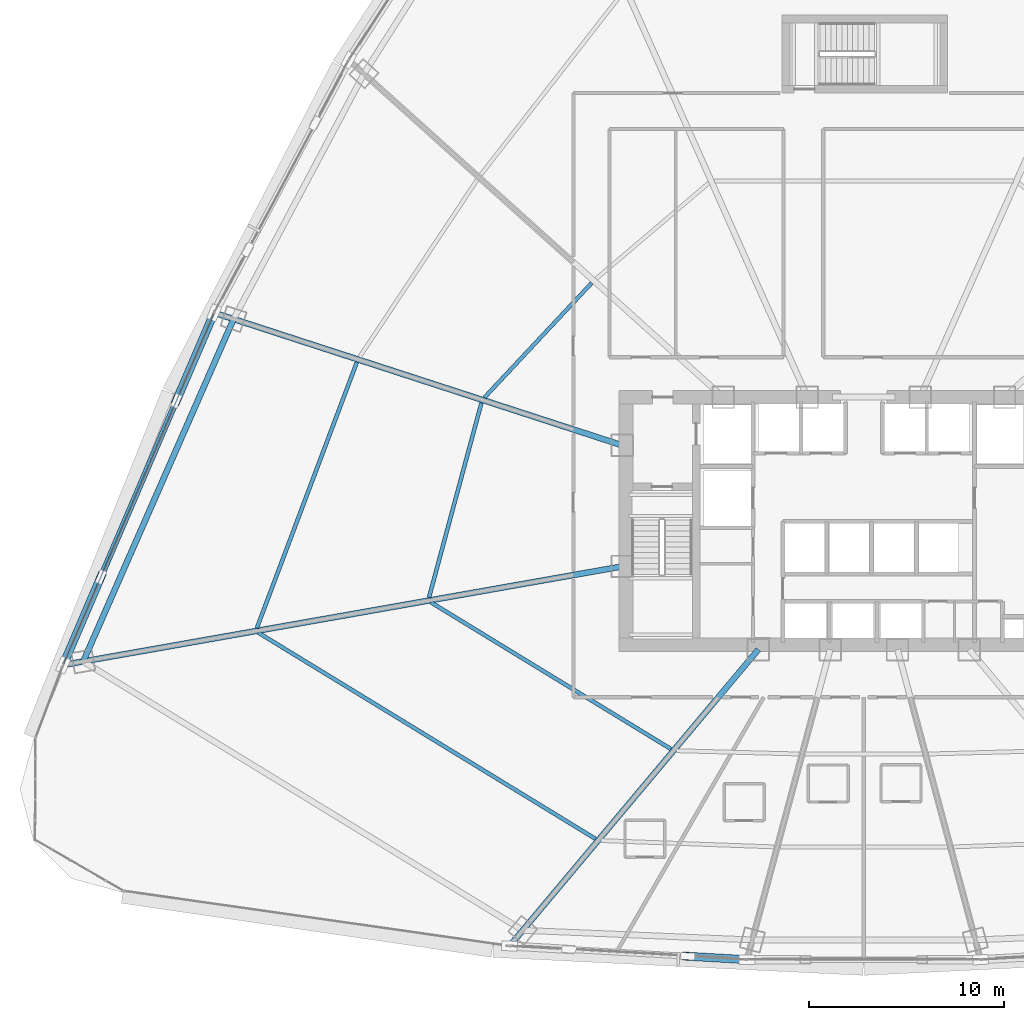
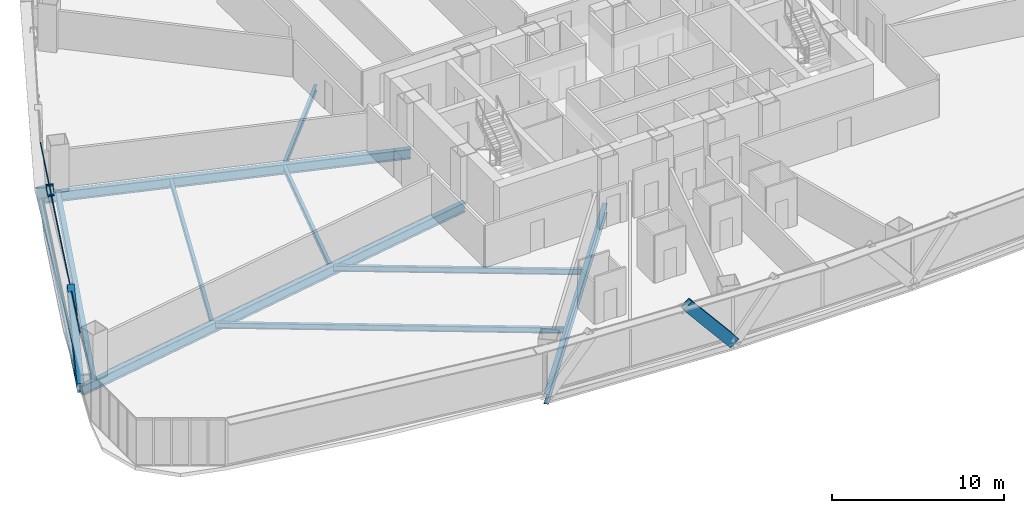
# One storey, part 7 of 41: 10 beams, 5 members, 1 element without a shape of its own.
"""IFC4 building model written with IfcOpenShell, lengths in metres."""

import ifcopenshell
import ifcopenshell.guid

model = None  # the IFC model being written
_history = None  # IfcOwnerHistory: only IFC2X3 demands one
_inside = {}  # id of a spatial element -> (the spatial element, [elements in it])
_under = {}  # id of a project, library or spatial element -> (it, [spatial elements below it])
_declared = {}  # id of a project -> (the project, [libraries it declares])
_typed = {}  # id of a type object -> (the type object, [elements of that type])
_made_of = {}  # id of a material, layer set ... -> (it, [elements and type objects made of it])


def new_model(schema):
    """Start an empty IFC model of exactly this schema.

    Asked for "IFC4X3", IfcOpenShell would pick the latest addendum, in which some entities
    have other attributes; the version numbers below select the first issue.
    IFC2X3 requires an IfcOwnerHistory on every rooted entity: one is made here for all.
    """
    global model, _history
    if schema == "IFC4X3":
        model = ifcopenshell.file(schema_version=(4, 3, 0, 0))
    else:
        model = ifcopenshell.file(schema=schema)
    _inside.clear()
    _under.clear()
    _declared.clear()
    _typed.clear()
    _made_of.clear()
    _history = None
    if model.schema == "IFC2X3":
        org = make("IfcOrganization", Name="unknown")
        user = make(
            "IfcPersonAndOrganization",
            ThePerson=make("IfcPerson", FamilyName="unknown"),
            TheOrganization=org,
        )
        app = make(
            "IfcApplication",
            ApplicationDeveloper=org,
            Version="unknown",
            ApplicationFullName="unknown",
            ApplicationIdentifier="unknown",
        )
        _history = make(
            "IfcOwnerHistory",
            OwningUser=user,
            OwningApplication=app,
            ChangeAction="ADDED",
            CreationDate=0,
        )
    return model


def make(cls, **values):
    """One entity of the class cls with the attributes given. An attribute that is None is left unset."""
    return model.create_entity(
        cls, **{name: value for name, value in values.items() if value is not None}
    )


def rooted(cls, **values):
    """An entity with a GlobalId (a new one), such as an element, a storey or a relation."""
    return make(cls, GlobalId=ifcopenshell.guid.new(), OwnerHistory=_history, **values)


def si_unit(unit_type, name, prefix=None):
    """IfcSIUnit, for example si_unit("LENGTHUNIT", "METRE", prefix="MILLI")."""
    return make("IfcSIUnit", UnitType=unit_type, Prefix=prefix, Name=name)


def assignment(units):
    """IfcUnitAssignment: the units of a project."""
    return None if units is None else make("IfcUnitAssignment", Units=units)


def point(xyz):
    """IfcCartesianPoint."""
    return None if xyz is None else make("IfcCartesianPoint", Coordinates=xyz)


def direction(xyz):
    """IfcDirection."""
    return None if xyz is None else make("IfcDirection", DirectionRatios=xyz)


def frame(location, z_axis=None, x_axis=None):
    """IfcAxis2Placement3D, a coordinate frame: its origin and axes. An axis left out is left unset."""
    return make(
        "IfcAxis2Placement3D",
        Location=point(location),
        Axis=direction(z_axis),
        RefDirection=direction(x_axis),
    )


def frame_2d(location, x_axis=None):
    """IfcAxis2Placement2D, a coordinate frame in the plane: its origin and x axis."""
    return make(
        "IfcAxis2Placement2D", Location=point(location), RefDirection=direction(x_axis)
    )


def origin():
    """The frame at (0, 0, 0) with its axes left unset."""
    return frame((0.0, 0.0, 0.0))


def origin_2d():
    """The frame at (0, 0) in the plane with its x axis left unset."""
    return frame_2d((0.0, 0.0))


def place(relative_to, where):
    """IfcLocalPlacement: puts the frame where relative to a parent placement (None: the world)."""
    return make(
        "IfcLocalPlacement", PlacementRelTo=relative_to, RelativePlacement=where
    )


def context(
    kind, dimensions, precision=None, world=None, true_north=None, identifier=None
):
    """IfcGeometricRepresentationContext, for example the 3D "Model" context."""
    return make(
        "IfcGeometricRepresentationContext",
        ContextIdentifier=identifier,
        ContextType=kind,
        CoordinateSpaceDimension=dimensions,
        Precision=precision,
        WorldCoordinateSystem=world,
        TrueNorth=true_north,
    )


def subcontext(parent, identifier, kind, view, scale=None):
    """IfcGeometricRepresentationSubContext, for example "Body" below "Model"."""
    return make(
        "IfcGeometricRepresentationSubContext",
        ContextIdentifier=identifier,
        ContextType=kind,
        ParentContext=parent,
        TargetScale=scale,
        TargetView=view,
    )


def project(units=None, contexts=None):
    """IfcProject with its units and contexts."""
    return rooted(
        "IfcProject",
        Name="project",
        RepresentationContexts=contexts,
        UnitsInContext=assignment(units),
    )


def spatial(cls, under=None, at=None, **own):
    """A site, building, storey or space (cls), placed at a placement, below another one or the project."""
    s = rooted(cls, ObjectPlacement=at, **own)
    if under is not None:
        _under.setdefault(under.id(), (under, []))[1].append(s)
    return s


def profile(cls, at=None, kind="AREA", **sizes):
    """A parametric profile (cls). Its sizes go by their IFC names, for example OverallWidth=200.0."""
    return make(cls, ProfileType=kind, Position=at, **sizes)


def hollow_rectangle(**sizes):
    """IfcRectangleHollowProfileDef."""
    return profile("IfcRectangleHollowProfileDef", **sizes)


def i_section(**sizes):
    """IfcIShapeProfileDef."""
    return profile("IfcIShapeProfileDef", **sizes)


def extrude(swept, where, along, depth):
    """IfcExtrudedAreaSolid: the profile swept, set in the frame where, extruded along a direction by depth."""
    return make(
        "IfcExtrudedAreaSolid",
        SweptArea=swept,
        Position=where,
        ExtrudedDirection=direction(along),
        Depth=depth,
    )


def shape(context_of_items, identifier, shape_type, items):
    """IfcShapeRepresentation: the items that make up one representation, for example the "Body"."""
    return make(
        "IfcShapeRepresentation",
        ContextOfItems=context_of_items,
        RepresentationIdentifier=identifier,
        RepresentationType=shape_type,
        Items=items,
    )


def source(mapping_origin, context_of_items, identifier, shape_type, items):
    """IfcRepresentationMap: a shape defined once, which mapped items show again and again."""
    return make(
        "IfcRepresentationMap",
        MappingOrigin=mapping_origin,
        MappedRepresentation=shape(context_of_items, identifier, shape_type, items),
    )


def transform(
    local_origin,
    x_axis=None,
    y_axis=None,
    z_axis=None,
    scale=None,
    scale2=None,
    scale3=None,
    uniform=True,
):
    """IfcCartesianTransformationOperator3D, or its non-uniform kind. x_axis, y_axis, z_axis: its Axis1, 2, 3."""
    if uniform:
        return make(
            "IfcCartesianTransformationOperator3D",
            Axis1=direction(x_axis),
            Axis2=direction(y_axis),
            LocalOrigin=point(local_origin),
            Scale=scale,
            Axis3=direction(z_axis),
        )
    return make(
        "IfcCartesianTransformationOperator3DnonUniform",
        Axis1=direction(x_axis),
        Axis2=direction(y_axis),
        LocalOrigin=point(local_origin),
        Scale=scale,
        Axis3=direction(z_axis),
        Scale2=scale2,
        Scale3=scale3,
    )


def mapped(mapping_source, mapping_target):
    """IfcMappedItem: shows the shape of a source again, moved by a transform."""
    return make(
        "IfcMappedItem", MappingSource=mapping_source, MappingTarget=mapping_target
    )


def material(Name=None, Category=None):
    """IfcMaterial."""
    return make("IfcMaterial", Name=Name, Category=Category)


def layer(
    of_material, thickness, ventilated=None, Name=None, Category=None, Priority=None
):
    """IfcMaterialLayer: one layer of a wall or slab, of a material (None: an air gap)."""
    return make(
        "IfcMaterialLayer",
        Material=of_material,
        LayerThickness=thickness,
        IsVentilated=ventilated,
        Name=Name,
        Category=Category,
        Priority=Priority,
    )


def layer_set(layers, Name=None):
    """IfcMaterialLayerSet."""
    return make("IfcMaterialLayerSet", MaterialLayers=layers, LayerSetName=Name)


def material_profile(
    of_material, cross_section, Name=None, Category=None, Priority=None
):
    """IfcMaterialProfile: a cross section and its material."""
    return make(
        "IfcMaterialProfile",
        Name=Name,
        Material=of_material,
        Profile=cross_section,
        Priority=Priority,
        Category=Category,
    )


def profile_set(profiles, Name=None, composite=None):
    """IfcMaterialProfileSet."""
    return make(
        "IfcMaterialProfileSet",
        Name=Name,
        MaterialProfiles=profiles,
        CompositeProfile=composite,
    )


def made_of(thing, what):
    """Note that an element or type object is made of a material, layer set ...; save() writes the relation."""
    if what is not None:
        _made_of.setdefault(what.id(), (what, []))[1].append(thing)
    return thing


def type_object(cls, material=None, **own):
    """A type object (cls), such as IfcWallType, which elements share."""
    return made_of(rooted(cls, **own), material)


def element(
    cls,
    number,
    at=None,
    inside=None,
    cuts=None,
    type_object=None,
    material=None,
    context=None,
    identifier="Body",
    shape_type=None,
    held_by="IfcProductDefinitionShape",
    body=None,
    shapes=None,
    **own,
):
    """One element of the class cls, such as IfcWall. Its Tag is "e" and its number.

    at: its placement. inside: the storey or other place that contains it. cuts: it is an
    opening in that element (IfcRelVoidsElement). A single representation is given by context,
    identifier, shape_type and body (its items); several are given by shapes. held_by: the class
    of the entity that holds the representations. save() writes the other relations.
    """
    e = rooted(cls, Tag="e%d" % number, ObjectPlacement=at, **own)
    if body is not None:
        shapes = [shape(context, identifier, shape_type, body)]
    if shapes is not None:
        e.Representation = make(held_by, Representations=shapes)
    if inside is not None:
        _inside.setdefault(inside.id(), (inside, []))[1].append(e)
    if cuts is not None:
        rooted(
            "IfcRelVoidsElement", RelatingBuildingElement=cuts, RelatedOpeningElement=e
        )
    if type_object is not None:
        _typed.setdefault(type_object.id(), (type_object, []))[1].append(e)
    return made_of(e, material)


def aggregate(whole, parts):
    """IfcRelAggregates: a whole, such as a stair, and the parts it consists of."""
    return rooted("IfcRelAggregates", RelatingObject=whole, RelatedObjects=parts)


def save(model, path):
    """Write the relations noted so far, then the file.

    IfcRelAggregates (storeys below a building ...), IfcRelContainedInSpatialStructure (elements
    in a storey), IfcRelDefinesByType, IfcRelAssociatesMaterial and IfcRelDeclares: one each for
    every whole, place, type object, material and project.
    """
    for whole, parts in _under.values():
        aggregate(whole, parts)
    for where, things in _inside.values():
        rooted(
            "IfcRelContainedInSpatialStructure",
            RelatedElements=things,
            RelatingStructure=where,
        )
    for kind, things in _typed.values():
        rooted("IfcRelDefinesByType", RelatedObjects=things, RelatingType=kind)
    for what, things in _made_of.values():
        rooted("IfcRelAssociatesMaterial", RelatedObjects=things, RelatingMaterial=what)
    for by, libraries in _declared.values():
        rooted("IfcRelDeclares", RelatingContext=by, RelatedDefinitions=libraries)
    model.write(path)


model = new_model("IFC4")

# Units and contexts
model_context = context("Model", 3, precision=1e-05, world=origin(), true_north=direction((0.0, 1.0)))
body_context = subcontext(model_context, "Body", "Model", "MODEL_VIEW")
ifc_project = project(units=[si_unit("LENGTHUNIT", "METRE"), si_unit("AREAUNIT", "SQUARE_METRE"), si_unit("VOLUMEUNIT", "CUBIC_METRE"), si_unit("PLANEANGLEUNIT", "RADIAN"), si_unit("MASSUNIT", "GRAM", prefix="KILO"), si_unit("THERMODYNAMICTEMPERATUREUNIT", "KELVIN"), si_unit("POWERUNIT", "WATT")], contexts=[model_context])

# Site, building, storey
site_placement = place(None, origin())
site = spatial("IfcSite", under=ifc_project, at=site_placement, CompositionType="ELEMENT")
building_placement = place(site_placement, origin())
building = spatial("IfcBuilding", under=site, at=building_placement, Name="Yunzhuo Pagoda Commons", CompositionType="ELEMENT")
storey_placement = place(building_placement, frame((0.0, 0.0, 63.070068359375)))
storey = spatial("IfcBuildingStorey", under=building, at=storey_placement, Name="L16", CompositionType="ELEMENT", Elevation=63.070068359375)

# Beams
ifc_material_1 = material(Name="Structural steel Q355B", Category="steel")
ifc_material_profile_1 = material_profile(ifc_material_1, i_section(OverallWidth=0.300048828125, OverallDepth=0.699951171875, WebThickness=0.012939453125, FlangeThickness=0.02392578125, at=origin_2d()), Name="Structural steel Q355B")
ifc_profile_set_1 = profile_set([ifc_material_profile_1], Name="Structural steel Q355B")
beam_type_1 = type_object("IfcBeamType", Name="B-RG1 Beam HN 700x300x13x24", PredefinedType="BEAM", material=ifc_profile_set_1)
shared_shape_1 = source(origin(), body_context, "Body", "SweptSolid", [
    extrude(i_section(OverallWidth=0.300048828125, OverallDepth=0.699951171875, WebThickness=0.012939453125, FlangeThickness=0.02392578125, at=origin_2d()), origin(), (0.0, 0.0, 1.0), 19.18603515625),
])
beam_1_placement = place(storey_placement, frame((15.66455078125, 44.206298828125, -0.610107421875), z_axis=(-0.40196534204, -0.915654882474, 0.0), x_axis=(0.915654882474, -0.40196534204, 0.0)))
element("IfcBeam", 1, at=beam_1_placement, inside=storey, type_object=beam_type_1, Name="L16 column-ring beam 11", PredefinedType="BEAM", context=body_context, shape_type="MappedRepresentation", body=[
    mapped(shared_shape_1, transform((0.0, 0.0, 0.0), scale=1.0)),
])
ifc_material_profile_2 = material_profile(ifc_material_1, i_section(OverallWidth=0.199951171875, OverallDepth=0.39990234375, WebThickness=0.008056640625, FlangeThickness=0.012939453125, at=origin_2d()), Name="Structural steel Q355B")
ifc_profile_set_2 = profile_set([ifc_material_profile_2], Name="Structural steel Q355B")
beam_type_2 = type_object("IfcBeamType", Name="B-JS1 Joist HN 400x200x8x13", PredefinedType="JOIST", material=ifc_profile_set_2)
shared_shape_2 = source(origin(), body_context, "Body", "SweptSolid", [
    extrude(i_section(OverallWidth=0.199951171875, OverallDepth=0.39990234375, WebThickness=0.008056640625, FlangeThickness=0.012939453125, at=origin_2d()), origin(), (0.0, 0.0, 1.0), 14.4365234375),
])
beam_2_placement = place(storey_placement, frame((25.782470703125, 29.675537109375, -0.4599609375), z_axis=(0.85325633277, -0.521491735876, 0.0), x_axis=(0.521491735876, 0.85325633277, 0.0)))
element("IfcBeam", 2, at=beam_2_placement, inside=storey, type_object=beam_type_2, Name="L16 composite ring joist 1.12", PredefinedType="JOIST", context=body_context, shape_type="MappedRepresentation", body=[
    mapped(shared_shape_2, transform((0.0, 0.0, 0.0), scale=1.0)),
])
shared_shape_3 = source(origin(), body_context, "Body", "SweptSolid", [
    extrude(i_section(OverallWidth=0.199951171875, OverallDepth=0.39990234375, WebThickness=0.008056640625, FlangeThickness=0.012939453125, at=origin_2d()), origin(), (0.0, 0.0, 1.0), 20.275634765625),
])
beam_3_placement = place(storey_placement, frame((16.935302734375, 28.11572265625, -0.4599609375), z_axis=(0.853102898066, -0.521742700295, 0.0), x_axis=(0.521742700295, 0.853102898066, 0.0)))
element("IfcBeam", 3, at=beam_3_placement, inside=storey, type_object=beam_type_2, Name="L16 composite ring joist 2.12", PredefinedType="JOIST", context=body_context, shape_type="MappedRepresentation", body=[
    mapped(shared_shape_3, transform((0.0, 0.0, 0.0), scale=1.0)),
])
shared_shape_4 = source(origin(), body_context, "Body", "SweptSolid", [
    extrude(i_section(OverallWidth=0.199951171875, OverallDepth=0.39990234375, WebThickness=0.008056640625, FlangeThickness=0.012939453125, at=origin_2d()), origin(), (0.0, 0.0, 1.0), 10.351806640625),
])
beam_4_placement = place(storey_placement, frame((28.3818359375, 39.9072265625, -0.4599609375), z_axis=(-0.260208595802, -0.965552425646, 0.0), x_axis=(0.965552425646, -0.260208595802, 0.0)))
element("IfcBeam", 4, at=beam_4_placement, inside=storey, type_object=beam_type_2, Name="L16 composite ring joist 1.11", PredefinedType="JOIST", context=body_context, shape_type="MappedRepresentation", body=[
    mapped(shared_shape_4, transform((0.0, 0.0, 0.0), scale=1.0)),
])
shared_shape_5 = source(origin(), body_context, "Body", "SweptSolid", [
    extrude(i_section(OverallWidth=0.199951171875, OverallDepth=0.39990234375, WebThickness=0.008056640625, FlangeThickness=0.012939453125, at=origin_2d()), origin(), (0.0, 0.0, 1.0), 14.571044921875),
])
beam_5_placement = place(storey_placement, frame((21.98779296875, 41.98486328125, -0.4599609375), z_axis=(-0.352208383632, -0.935921607027, 0.0), x_axis=(0.935921607027, -0.352208383632, 0.0)))
element("IfcBeam", 5, at=beam_5_placement, inside=storey, type_object=beam_type_2, Name="L16 composite ring joist 2.11", PredefinedType="JOIST", context=body_context, shape_type="MappedRepresentation", body=[
    mapped(shared_shape_5, transform((0.0, 0.0, 0.0), scale=1.0)),
])
shared_shape_6 = source(origin(), body_context, "Body", "SweptSolid", [
    extrude(i_section(OverallWidth=0.199951171875, OverallDepth=0.39990234375, WebThickness=0.008056640625, FlangeThickness=0.012939453125, at=origin_2d()), origin(), (0.0, 0.0, 1.0), 8.055908203125),
])
beam_6_placement = place(storey_placement, frame((34.03759765625, 46.057861328125, -0.4599609375), z_axis=(-0.683432879027, -0.730013355949, 0.0), x_axis=(0.730013355949, -0.683432879027, 0.0)))
element("IfcBeam", 6, at=beam_6_placement, inside=storey, type_object=beam_type_2, Name="L16 composite ring joist 1.10", PredefinedType="JOIST", context=body_context, shape_type="MappedRepresentation", body=[
    mapped(shared_shape_6, transform((0.0, 0.0, 0.0), scale=1.0)),
])
shared_shape_7 = source(origin(), body_context, "Body", "SweptSolid", [
    extrude(i_section(OverallWidth=0.300048828125, OverallDepth=0.699951171875, WebThickness=0.012939453125, FlangeThickness=0.02392578125, at=origin_2d()), origin(), (0.0, 0.0, 1.0), 19.7001953125),
])
beam_7_placement = place(storey_placement, frame((29.9248046875, 12.15869140625, -0.610107421875), z_axis=(0.642786848986, 0.766045081422, 0.0), x_axis=(-0.766045081422, 0.642786848986, 0.0)))
element("IfcBeam", 7, at=beam_7_placement, inside=storey, type_object=beam_type_1, Name="L16 radial floor girder F1C1", PredefinedType="BEAM", context=body_context, shape_type="MappedRepresentation", body=[
    mapped(shared_shape_7, transform((0.0, 0.0, 0.0), scale=1.0)),
])
shared_shape_8 = source(origin(), body_context, "Body", "SweptSolid", [
    extrude(i_section(OverallWidth=0.300048828125, OverallDepth=0.699951171875, WebThickness=0.012939453125, FlangeThickness=0.02392578125, at=origin_2d()), origin(), (0.0, 0.0, 1.0), 28.96923828125),
])
beam_8_placement = place(storey_placement, frame((7.071044921875, 26.483154296875, -0.610107421875), z_axis=(0.984808746464, 0.173642543427, 0.0), x_axis=(-0.173642543427, 0.984808746464, 0.0)))
element("IfcBeam", 8, at=beam_8_placement, inside=storey, type_object=beam_type_1, Name="L16 radial floor girder F3C4", PredefinedType="BEAM", context=body_context, shape_type="MappedRepresentation", body=[
    mapped(shared_shape_8, transform((0.0, 0.0, 0.0), scale=1.0)),
])
shared_shape_9 = source(origin(), body_context, "Body", "SweptSolid", [
    extrude(i_section(OverallWidth=0.300048828125, OverallDepth=0.699951171875, WebThickness=0.012939453125, FlangeThickness=0.02392578125, at=origin_2d()), origin(), (0.0, 0.0, 1.0), 21.8564453125),
])
beam_9_placement = place(storey_placement, frame((14.813232421875, 44.48291015625, -0.610107421875), z_axis=(0.951058609715, -0.309010551415, 0.0), x_axis=(0.309010551415, 0.951058609715, 0.0)))
element("IfcBeam", 9, at=beam_9_placement, inside=storey, type_object=beam_type_1, Name="L16 radial floor girder F3C3", PredefinedType="BEAM", context=body_context, shape_type="MappedRepresentation", body=[
    mapped(shared_shape_9, transform((0.0, 0.0, 0.0), scale=1.0)),
])
ifc_material_profile_3 = material_profile(ifc_material_1, i_section(OverallWidth=0.300048828125, OverallDepth=0.488037109375, WebThickness=0.010986328125, FlangeThickness=0.01806640625, at=origin_2d()), Name="Structural steel Q355B")
ifc_profile_set_3 = profile_set([ifc_material_profile_3], Name="Structural steel Q355B")
beam_type_3 = type_object("IfcBeamType", Name="B-SP1 Beam HM 488x300x11x18", PredefinedType="BEAM", material=ifc_profile_set_3)
shared_shape_10 = source(origin(), body_context, "Body", "SweptSolid", [
    extrude(i_section(OverallWidth=0.300048828125, OverallDepth=0.488037109375, WebThickness=0.010986328125, FlangeThickness=0.01806640625, at=origin_2d()), origin(), (0.0, 0.0, 1.0), 19.665283203125),
])
beam_10_placement = place(storey_placement, frame((14.666015625, 44.531005859375, -0.504150390625), z_axis=(-0.39398372615, -0.919117415529, 0.0), x_axis=(0.919117415529, -0.39398372615, 0.0)))
element("IfcBeam", 10, at=beam_10_placement, inside=storey, type_object=beam_type_3, Name="L16 facade edge spandrel beam F3.3", PredefinedType="BEAM", context=body_context, shape_type="MappedRepresentation", body=[
    mapped(shared_shape_10, transform((0.0, 0.0, 0.0), scale=1.0)),
])

# Members
ifc_material_2 = material(Name="Structural steel Q420B", Category="steel")
ifc_material_profile_4 = material_profile(ifc_material_2, hollow_rectangle(XDim=0.419921875, YDim=0.719970703125, WallThickness=0.028076171875, at=origin_2d()), Name="Structural steel Q420B")
ifc_profile_set_4 = profile_set([ifc_material_profile_4], Name="Structural steel Q420B")
member_type_1 = type_object("IfcMemberType", Name="M-DL1 Brace BOX 720x420x28", PredefinedType="BRACE", material=ifc_profile_set_4)
shared_shape_11 = source(origin(), body_context, "Body", "SweptSolid", [
    extrude(hollow_rectangle(XDim=0.419921875, YDim=0.719970703125, WallThickness=0.028076171875, at=origin_2d()), origin(), (0.0, 0.0, 1.0), 4.74169921875),
])
member_1_placement = place(storey_placement, frame((42.008056640625, 11.337890625, -0.260009765625), z_axis=(-0.642326047431, 0.036969146457, 0.765539372601), x_axis=(-0.057460018144, -0.998347808289, 0.0)))
element("IfcMember", 11, at=member_1_placement, inside=storey, type_object=member_type_1, Name="L16 facade diamond brace F1.1R", PredefinedType="BRACE", context=body_context, shape_type="MappedRepresentation", body=[
    mapped(shared_shape_11, transform((0.0, 0.0, 0.0), scale=1.0)),
])
shared_shape_12 = source(origin(), body_context, "Body", "SweptSolid", [
    extrude(hollow_rectangle(XDim=0.419921875, YDim=0.719970703125, WallThickness=0.028076171875, at=origin_2d()), origin(), (0.0, 0.0, 1.0), 6.111328125),
])
for number, where, z_axis, x_axis, name in (
    (12, (14.666015625, 44.531005859375, -0.260009765625), (-0.316957374755, -0.739420727166, 0.593965496326), (0.919116774061, -0.393985222616, 0.0), "L16 facade diamond brace F3.3L"),
    (13, (6.918212890625, 26.456298828125, -0.260009765625), (0.316957374755, 0.739420727166, 0.593965496326), (-0.919116774061, 0.393985222616, 0.0), "L16 facade diamond brace F3.3R"),
):
    element("IfcMember", number, at=place(storey_placement, frame(where, z_axis=z_axis, x_axis=x_axis)), inside=storey, type_object=member_type_1, Name=name, PredefinedType="BRACE", context=body_context, shape_type="MappedRepresentation", body=[
        mapped(shared_shape_12, transform((0.0, 0.0, 0.0), scale=1.0)),
    ])

# Curtain wall, members
ifc_material_3 = material(Name="Anodized aluminium 6063-T6", Category="aluminium")
ifc_layer = layer(ifc_material_3, 0.1650390625)
ifc_layer_set = layer_set([ifc_layer], Name="Anodized aluminium 6063-T6")
curtain_wall_type = type_object("IfcCurtainWallType", Name="CW-LOW Low-Zone Ribbon Curtain Wall", PredefinedType="NOTDEFINED", material=ifc_layer_set)
curtain_wall_placement = place(storey_placement, origin())
curtain_wall = element("IfcCurtainWall", 14, at=curtain_wall_placement, inside=storey, type_object=curtain_wall_type, Name="L16 curtain wall CW-L16-F3B4", PredefinedType="NOTDEFINED")
ifc_material_profile_5 = material_profile(ifc_material_3, hollow_rectangle(XDim=0.06005859375, YDim=0.139892578125, WallThickness=0.00341796875, at=origin_2d()), Name="Anodized aluminium 6063-T6")
ifc_profile_set_5 = profile_set([ifc_material_profile_5], Name="Anodized aluminium 6063-T6")
member_type_2 = type_object("IfcMemberType", Name="CW-LOW-T Transom RHS 140x60x3.5", PredefinedType="USERDEFINED", material=ifc_profile_set_5)
shared_shape_13 = source(origin(), body_context, "Body", "SweptSolid", [
    extrude(hollow_rectangle(XDim=0.06005859375, YDim=0.139892578125, WallThickness=0.00341796875, at=origin_2d()), origin(), (0.0, 0.0, 1.0), 19.535400390625),
])
member_2_placement = place(storey_placement, frame((14.640380859375, 44.47119140625, 0.030029296875), z_axis=(-0.393979629868, -0.919119171408, 0.0), x_axis=(0.919119171408, -0.393979629868, 0.0)))
member_2 = element("IfcMember", 15, at=member_2_placement, type_object=member_type_2, Name="CW transom 1.1", ObjectType="TRANSOM", PredefinedType="USERDEFINED", context=body_context, shape_type="MappedRepresentation", body=[
    mapped(shared_shape_13, transform((0.0, 0.0, 0.0), scale=1.0)),
])
member_3_placement = place(storey_placement, frame((14.640380859375, 44.47119140625, 3.33984375), z_axis=(-0.393979629868, -0.919119171408, 0.0), x_axis=(0.919119171408, -0.393979629868, 0.0)))
member_3 = element("IfcMember", 16, at=member_3_placement, type_object=member_type_2, Name="CW transom 1.2", ObjectType="TRANSOM", PredefinedType="USERDEFINED", context=body_context, shape_type="MappedRepresentation", body=[
    mapped(shared_shape_13, transform((0.0, 0.0, 0.0), scale=1.0)),
])
aggregate(curtain_wall, [member_2, member_3])

save(model, "model.ifc")
